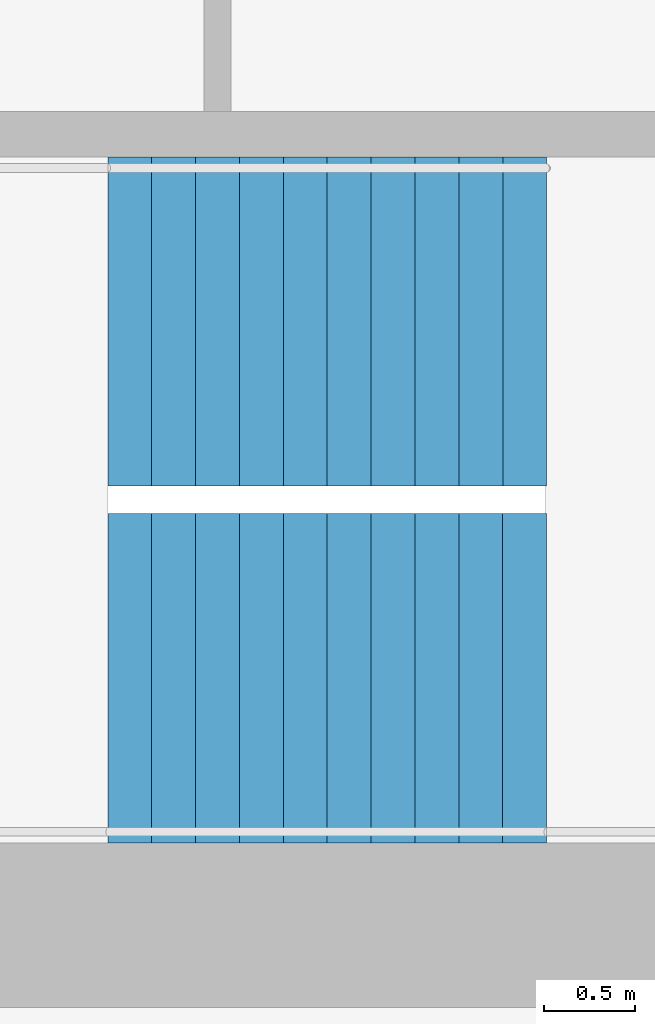
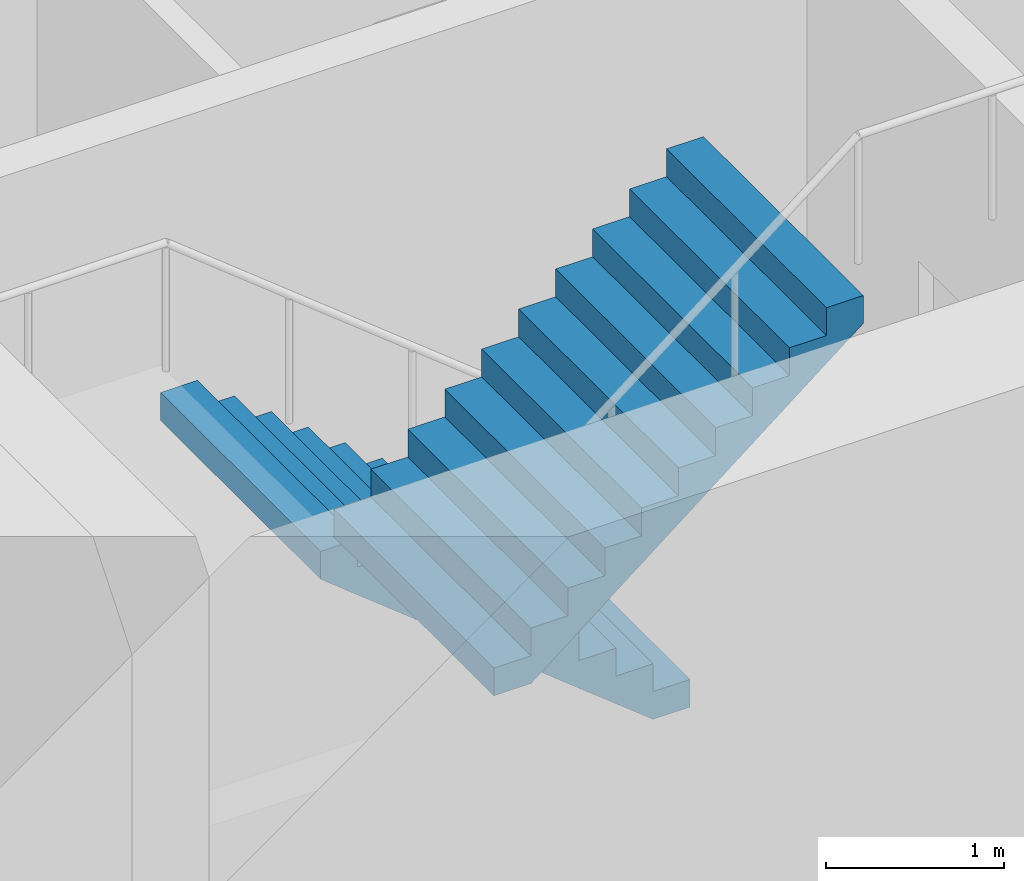
# One storey, part 37 of 41: 2 stair flights, 1 element without a shape of its own.
"""IFC4 building model written with IfcOpenShell, lengths in metres."""

from ifc_helpers import new_model, si_unit, direction, frame, origin, place, context, subcontext, project, spatial, triangles, material, type_object, element, aggregate, save


model = new_model("IFC4")

# Units and contexts
model_context = context("Model", 3, precision=1e-05, world=origin(), true_north=direction((0.0, 1.0)))
body_context = subcontext(model_context, "Body", "Model", "MODEL_VIEW")
ifc_project = project(units=[si_unit("LENGTHUNIT", "METRE"), si_unit("AREAUNIT", "SQUARE_METRE"), si_unit("VOLUMEUNIT", "CUBIC_METRE"), si_unit("PLANEANGLEUNIT", "RADIAN"), si_unit("MASSUNIT", "GRAM", prefix="KILO")], contexts=[model_context])

# Site, building, storey
site_placement = place(None, origin())
site = spatial("IfcSite", under=ifc_project, at=site_placement, CompositionType="ELEMENT")
building_placement = place(site_placement, origin())
building = spatial("IfcBuilding", under=site, at=building_placement, Name="Hakoniwa Tower and Hamabe Station Hall", CompositionType="ELEMENT")
storey_placement = place(building_placement, frame((0.0, 0.0, 276.60009765625)))
storey = spatial("IfcBuildingStorey", under=building, at=storey_placement, Name="L77", CompositionType="ELEMENT", Elevation=276.60009765625)

# Stair, stair flights
ifc_material_1 = material(Name="Concrete C40", Category="concrete")
stair_type = type_object("IfcStairType", Name="ESCAPE STAIR 1800", PredefinedType="HALF_TURN_STAIR", material=ifc_material_1)
stair_placement = place(storey_placement, origin())
stair = element("IfcStair", 1, at=stair_placement, inside=storey, type_object=stair_type, Name="Escape stair ST-2 L77", PredefinedType="HALF_TURN_STAIR")
ifc_material_2 = material(Name="Concrete C40", Category="concrete")
stair_flight_type = type_object("IfcStairFlightType", Name="STAIR FLIGHT 1800", PredefinedType="STRAIGHT", material=ifc_material_2)
stair_flight_1_placement = place(storey_placement, frame((-23.39990234375, -4.64990234375, 0.0), z_axis=(0.0, 0.0, 1.0), x_axis=(-1.0, 0.0, 0.0)))
stair_flight_1 = element("IfcStairFlight", 2, at=stair_flight_1_placement, type_object=stair_flight_type, Name="ST-2 flight 1", NumberOfRisers=11, NumberOfTreads=10, PredefinedType="STRAIGHT", RiserHeight=0.190909091, TreadLength=0.24, context=body_context, shape_type="Tessellation", body=[
    triangles([(0.0, 0.89990234375, 0.0), (0.239990234375, 0.89990234375, 0.0), (0.24072265625, 0.89990234375, 0.0), (0.47998046875, 0.89990234375, 0.190185546875), (0.719970703125, 0.89990234375, 0.381103515625), (0.9599609375, 0.89990234375, 0.572021484375), (1.199951171875, 0.89990234375, 0.762939453125), (1.43994140625, 0.89990234375, 0.953857421875), (1.679931640625, 0.89990234375, 1.144775390625), (1.919921875, 0.89990234375, 1.335693359375), (2.159912109375, 0.89990234375, 1.526611328125), (2.39990234375, 0.89990234375, 1.717529296875), (2.39990234375, 0.89990234375, 1.9091796875), (2.159912109375, 0.89990234375, 1.9091796875), (2.159912109375, 0.89990234375, 1.71826171875), (1.919921875, 0.89990234375, 1.71826171875), (1.919921875, 0.89990234375, 1.52734375), (1.679931640625, 0.89990234375, 1.52734375), (1.679931640625, 0.89990234375, 1.33642578125), (1.43994140625, 0.89990234375, 1.33642578125), (1.43994140625, 0.89990234375, 1.1455078125), (1.199951171875, 0.89990234375, 1.1455078125), (1.199951171875, 0.89990234375, 0.95458984375), (0.9599609375, 0.89990234375, 0.95458984375), (0.9599609375, 0.89990234375, 0.763671875), (0.719970703125, 0.89990234375, 0.763671875), (0.719970703125, 0.89990234375, 0.57275390625), (0.47998046875, 0.89990234375, 0.57275390625), (0.47998046875, 0.89990234375, 0.3818359375), (0.24072265625, 0.89990234375, 0.3818359375), (0.239990234375, 0.89990234375, 0.3818359375), (0.239990234375, 0.89990234375, 0.19091796875), (0.0, 0.89990234375, 0.19091796875), (0.0, 0.06005859375, 0.0), (0.239990234375, 0.06005859375, 0.0), (0.24072265625, 0.06005859375, 0.0), (0.47998046875, 0.06005859375, 0.190185546875), (0.719970703125, 0.06005859375, 0.381103515625), (0.9599609375, 0.06005859375, 0.572021484375), (1.199951171875, 0.06005859375, 0.762939453125), (1.43994140625, 0.06005859375, 0.953857421875), (1.679931640625, 0.06005859375, 1.144775390625), (1.919921875, 0.06005859375, 1.335693359375), (2.159912109375, 0.06005859375, 1.526611328125), (2.39990234375, 0.06005859375, 1.717529296875), (2.39990234375, 0.06005859375, 1.9091796875), (2.159912109375, 0.06005859375, 1.9091796875), (2.159912109375, 0.06005859375, 1.71826171875), (1.919921875, 0.06005859375, 1.71826171875), (1.919921875, 0.06005859375, 1.52734375), (1.679931640625, 0.06005859375, 1.52734375), (1.679931640625, 0.06005859375, 1.33642578125), (1.43994140625, 0.06005859375, 1.33642578125), (1.43994140625, 0.06005859375, 1.1455078125), (1.199951171875, 0.06005859375, 1.1455078125), (1.199951171875, 0.06005859375, 0.95458984375), (0.9599609375, 0.06005859375, 0.95458984375), (0.9599609375, 0.06005859375, 0.763671875), (0.719970703125, 0.06005859375, 0.763671875), (0.719970703125, 0.06005859375, 0.57275390625), (0.47998046875, 0.06005859375, 0.57275390625), (0.47998046875, 0.06005859375, 0.3818359375), (0.24072265625, 0.06005859375, 0.3818359375), (0.239990234375, 0.06005859375, 0.3818359375), (0.239990234375, 0.06005859375, 0.19091796875), (0.0, 0.06005859375, 0.19091796875), (0.0, 0.02001953125, 0.0), (0.239990234375, 0.02001953125, 0.0), (0.24072265625, 0.02001953125, 0.0), (0.47998046875, 0.02001953125, 0.190185546875), (0.719970703125, 0.02001953125, 0.381103515625), (0.9599609375, 0.02001953125, 0.572021484375), (1.199951171875, 0.02001953125, 0.762939453125), (1.43994140625, 0.02001953125, 0.953857421875), (1.679931640625, 0.02001953125, 1.144775390625), (1.919921875, 0.02001953125, 1.335693359375), (2.159912109375, 0.02001953125, 1.526611328125), (2.39990234375, 0.02001953125, 1.717529296875), (2.39990234375, 0.02001953125, 1.9091796875), (2.159912109375, 0.02001953125, 1.9091796875), (2.159912109375, 0.02001953125, 1.71826171875), (1.919921875, 0.02001953125, 1.71826171875), (1.919921875, 0.02001953125, 1.52734375), (1.679931640625, 0.02001953125, 1.52734375), (1.679931640625, 0.02001953125, 1.33642578125), (1.43994140625, 0.02001953125, 1.33642578125), (1.43994140625, 0.02001953125, 1.1455078125), (1.199951171875, 0.02001953125, 1.1455078125), (1.199951171875, 0.02001953125, 0.95458984375), (0.9599609375, 0.02001953125, 0.95458984375), (0.9599609375, 0.02001953125, 0.763671875), (0.719970703125, 0.02001953125, 0.763671875), (0.719970703125, 0.02001953125, 0.57275390625), (0.47998046875, 0.02001953125, 0.57275390625), (0.47998046875, 0.02001953125, 0.3818359375), (0.24072265625, 0.02001953125, 0.3818359375), (0.239990234375, 0.02001953125, 0.3818359375), (0.239990234375, 0.02001953125, 0.19091796875), (0.0, 0.02001953125, 0.19091796875), (0.0, -0.02001953125, 0.0), (0.239990234375, -0.02001953125, 0.0), (0.24072265625, -0.02001953125, 0.0), (0.47998046875, -0.02001953125, 0.190185546875), (0.719970703125, -0.02001953125, 0.381103515625), (0.9599609375, -0.02001953125, 0.572021484375), (1.199951171875, -0.02001953125, 0.762939453125), (1.43994140625, -0.02001953125, 0.953857421875), (1.679931640625, -0.02001953125, 1.144775390625), (1.919921875, -0.02001953125, 1.335693359375), (2.159912109375, -0.02001953125, 1.526611328125), (2.39990234375, -0.02001953125, 1.717529296875), (2.39990234375, -0.02001953125, 1.9091796875), (2.159912109375, -0.02001953125, 1.9091796875), (2.159912109375, -0.02001953125, 1.71826171875), (1.919921875, -0.02001953125, 1.71826171875), (1.919921875, -0.02001953125, 1.52734375), (1.679931640625, -0.02001953125, 1.52734375), (1.679931640625, -0.02001953125, 1.33642578125), (1.43994140625, -0.02001953125, 1.33642578125), (1.43994140625, -0.02001953125, 1.1455078125), (1.199951171875, -0.02001953125, 1.1455078125), (1.199951171875, -0.02001953125, 0.95458984375), (0.9599609375, -0.02001953125, 0.95458984375), (0.9599609375, -0.02001953125, 0.763671875), (0.719970703125, -0.02001953125, 0.763671875), (0.719970703125, -0.02001953125, 0.57275390625), (0.47998046875, -0.02001953125, 0.57275390625), (0.47998046875, -0.02001953125, 0.3818359375), (0.24072265625, -0.02001953125, 0.3818359375), (0.239990234375, -0.02001953125, 0.3818359375), (0.239990234375, -0.02001953125, 0.19091796875), (0.0, -0.02001953125, 0.19091796875), (0.0, -0.06005859375, 0.0), (0.239990234375, -0.06005859375, 0.0), (0.24072265625, -0.06005859375, 0.0), (0.47998046875, -0.06005859375, 0.190185546875), (0.719970703125, -0.06005859375, 0.381103515625), (0.9599609375, -0.06005859375, 0.572021484375), (1.199951171875, -0.06005859375, 0.762939453125), (1.43994140625, -0.06005859375, 0.953857421875), (1.679931640625, -0.06005859375, 1.144775390625), (1.919921875, -0.06005859375, 1.335693359375), (2.159912109375, -0.06005859375, 1.526611328125), (2.39990234375, -0.06005859375, 1.717529296875), (2.39990234375, -0.06005859375, 1.9091796875), (2.159912109375, -0.06005859375, 1.9091796875), (2.159912109375, -0.06005859375, 1.71826171875), (1.919921875, -0.06005859375, 1.71826171875), (1.919921875, -0.06005859375, 1.52734375), (1.679931640625, -0.06005859375, 1.52734375), (1.679931640625, -0.06005859375, 1.33642578125), (1.43994140625, -0.06005859375, 1.33642578125), (1.43994140625, -0.06005859375, 1.1455078125), (1.199951171875, -0.06005859375, 1.1455078125), (1.199951171875, -0.06005859375, 0.95458984375), (0.9599609375, -0.06005859375, 0.95458984375), (0.9599609375, -0.06005859375, 0.763671875), (0.719970703125, -0.06005859375, 0.763671875), (0.719970703125, -0.06005859375, 0.57275390625), (0.47998046875, -0.06005859375, 0.57275390625), (0.47998046875, -0.06005859375, 0.3818359375), (0.24072265625, -0.06005859375, 0.3818359375), (0.239990234375, -0.06005859375, 0.3818359375), (0.239990234375, -0.06005859375, 0.19091796875), (0.0, -0.06005859375, 0.19091796875), (0.0, -0.89990234375, 0.0), (0.239990234375, -0.89990234375, 0.0), (0.24072265625, -0.89990234375, 0.0), (0.47998046875, -0.89990234375, 0.190185546875), (0.719970703125, -0.89990234375, 0.381103515625), (0.9599609375, -0.89990234375, 0.572021484375), (1.199951171875, -0.89990234375, 0.762939453125), (1.43994140625, -0.89990234375, 0.953857421875), (1.679931640625, -0.89990234375, 1.144775390625), (1.919921875, -0.89990234375, 1.335693359375), (2.159912109375, -0.89990234375, 1.526611328125), (2.39990234375, -0.89990234375, 1.717529296875), (2.39990234375, -0.89990234375, 1.9091796875), (2.159912109375, -0.89990234375, 1.9091796875), (2.159912109375, -0.89990234375, 1.71826171875), (1.919921875, -0.89990234375, 1.71826171875), (1.919921875, -0.89990234375, 1.52734375), (1.679931640625, -0.89990234375, 1.52734375), (1.679931640625, -0.89990234375, 1.33642578125), (1.43994140625, -0.89990234375, 1.33642578125), (1.43994140625, -0.89990234375, 1.1455078125), (1.199951171875, -0.89990234375, 1.1455078125), (1.199951171875, -0.89990234375, 0.95458984375), (0.9599609375, -0.89990234375, 0.95458984375), (0.9599609375, -0.89990234375, 0.763671875), (0.719970703125, -0.89990234375, 0.763671875), (0.719970703125, -0.89990234375, 0.57275390625), (0.47998046875, -0.89990234375, 0.57275390625), (0.47998046875, -0.89990234375, 0.3818359375), (0.24072265625, -0.89990234375, 0.3818359375), (0.239990234375, -0.89990234375, 0.3818359375), (0.239990234375, -0.89990234375, 0.19091796875), (0.0, -0.89990234375, 0.19091796875)], [[2, 33, 32], [167, 197, 198], [2, 1, 33], [167, 198, 166], [3, 31, 30], [168, 195, 196], [3, 32, 31], [168, 196, 197], [3, 2, 32], [168, 197, 167], [4, 30, 29], [169, 194, 195], [4, 3, 30], [169, 195, 168], [5, 28, 27], [170, 192, 193], [5, 29, 28], [170, 193, 194], [5, 4, 29], [170, 194, 169], [6, 26, 25], [171, 190, 191], [6, 27, 26], [171, 191, 192], [6, 5, 27], [171, 192, 170], [7, 24, 23], [172, 188, 189], [7, 25, 24], [172, 189, 190], [7, 6, 25], [172, 190, 171], [8, 22, 21], [173, 186, 187], [8, 23, 22], [173, 187, 188], [8, 7, 23], [173, 188, 172], [9, 20, 19], [174, 184, 185], [9, 21, 20], [174, 185, 186], [9, 8, 21], [174, 186, 173], [10, 18, 17], [175, 182, 183], [10, 19, 18], [175, 183, 184], [10, 9, 19], [175, 184, 174], [11, 16, 15], [176, 180, 181], [11, 17, 16], [176, 181, 182], [11, 10, 17], [176, 182, 175], [12, 14, 13], [177, 178, 179], [12, 15, 14], [177, 179, 180], [12, 11, 15], [177, 180, 176], [1, 2, 35], [1, 35, 34], [34, 35, 68], [34, 68, 67], [67, 68, 101], [67, 101, 100], [100, 101, 134], [100, 134, 133], [133, 134, 167], [133, 167, 166], [2, 3, 36], [2, 36, 35], [35, 36, 69], [35, 69, 68], [68, 69, 102], [68, 102, 101], [101, 102, 135], [101, 135, 134], [134, 135, 168], [134, 168, 167], [3, 4, 37], [3, 37, 36], [36, 37, 70], [36, 70, 69], [69, 70, 103], [69, 103, 102], [102, 103, 136], [102, 136, 135], [135, 136, 169], [135, 169, 168], [4, 5, 38], [4, 38, 37], [37, 38, 71], [37, 71, 70], [70, 71, 104], [70, 104, 103], [103, 104, 137], [103, 137, 136], [136, 137, 170], [136, 170, 169], [5, 6, 39], [5, 39, 38], [38, 39, 72], [38, 72, 71], [71, 72, 105], [71, 105, 104], [104, 105, 138], [104, 138, 137], [137, 138, 171], [137, 171, 170], [6, 7, 40], [6, 40, 39], [39, 40, 73], [39, 73, 72], [72, 73, 106], [72, 106, 105], [105, 106, 139], [105, 139, 138], [138, 139, 172], [138, 172, 171], [7, 8, 41], [7, 41, 40], [40, 41, 74], [40, 74, 73], [73, 74, 107], [73, 107, 106], [106, 107, 140], [106, 140, 139], [139, 140, 173], [139, 173, 172], [8, 9, 42], [8, 42, 41], [41, 42, 75], [41, 75, 74], [74, 75, 108], [74, 108, 107], [107, 108, 141], [107, 141, 140], [140, 141, 174], [140, 174, 173], [9, 10, 43], [9, 43, 42], [42, 43, 76], [42, 76, 75], [75, 76, 109], [75, 109, 108], [108, 109, 142], [108, 142, 141], [141, 142, 175], [141, 175, 174], [10, 11, 44], [10, 44, 43], [43, 44, 77], [43, 77, 76], [76, 77, 110], [76, 110, 109], [109, 110, 143], [109, 143, 142], [142, 143, 176], [142, 176, 175], [11, 12, 45], [11, 45, 44], [44, 45, 78], [44, 78, 77], [77, 78, 111], [77, 111, 110], [110, 111, 144], [110, 144, 143], [143, 144, 177], [143, 177, 176], [12, 13, 46], [12, 46, 45], [45, 46, 79], [45, 79, 78], [78, 79, 112], [78, 112, 111], [111, 112, 145], [111, 145, 144], [144, 145, 178], [144, 178, 177], [13, 14, 47], [13, 47, 46], [46, 47, 80], [46, 80, 79], [79, 80, 113], [79, 113, 112], [112, 113, 146], [112, 146, 145], [145, 146, 179], [145, 179, 178], [14, 15, 48], [14, 48, 47], [47, 48, 81], [47, 81, 80], [80, 81, 114], [80, 114, 113], [113, 114, 147], [113, 147, 146], [146, 147, 180], [146, 180, 179], [15, 16, 49], [15, 49, 48], [48, 49, 82], [48, 82, 81], [81, 82, 115], [81, 115, 114], [114, 115, 148], [114, 148, 147], [147, 148, 181], [147, 181, 180], [16, 17, 50], [16, 50, 49], [49, 50, 83], [49, 83, 82], [82, 83, 116], [82, 116, 115], [115, 116, 149], [115, 149, 148], [148, 149, 182], [148, 182, 181], [17, 18, 51], [17, 51, 50], [50, 51, 84], [50, 84, 83], [83, 84, 117], [83, 117, 116], [116, 117, 150], [116, 150, 149], [149, 150, 183], [149, 183, 182], [18, 19, 52], [18, 52, 51], [51, 52, 85], [51, 85, 84], [84, 85, 118], [84, 118, 117], [117, 118, 151], [117, 151, 150], [150, 151, 184], [150, 184, 183], [19, 20, 53], [19, 53, 52], [52, 53, 86], [52, 86, 85], [85, 86, 119], [85, 119, 118], [118, 119, 152], [118, 152, 151], [151, 152, 185], [151, 185, 184], [20, 21, 54], [20, 54, 53], [53, 54, 87], [53, 87, 86], [86, 87, 120], [86, 120, 119], [119, 120, 153], [119, 153, 152], [152, 153, 186], [152, 186, 185], [21, 22, 55], [21, 55, 54], [54, 55, 88], [54, 88, 87], [87, 88, 121], [87, 121, 120], [120, 121, 154], [120, 154, 153], [153, 154, 187], [153, 187, 186], [22, 23, 56], [22, 56, 55], [55, 56, 89], [55, 89, 88], [88, 89, 122], [88, 122, 121], [121, 122, 155], [121, 155, 154], [154, 155, 188], [154, 188, 187], [23, 24, 57], [23, 57, 56], [56, 57, 90], [56, 90, 89], [89, 90, 123], [89, 123, 122], [122, 123, 156], [122, 156, 155], [155, 156, 189], [155, 189, 188], [24, 25, 58], [24, 58, 57], [57, 58, 91], [57, 91, 90], [90, 91, 124], [90, 124, 123], [123, 124, 157], [123, 157, 156], [156, 157, 190], [156, 190, 189], [25, 26, 59], [25, 59, 58], [58, 59, 92], [58, 92, 91], [91, 92, 125], [91, 125, 124], [124, 125, 158], [124, 158, 157], [157, 158, 191], [157, 191, 190], [26, 27, 60], [26, 60, 59], [59, 60, 93], [59, 93, 92], [92, 93, 126], [92, 126, 125], [125, 126, 159], [125, 159, 158], [158, 159, 192], [158, 192, 191], [27, 28, 61], [27, 61, 60], [60, 61, 94], [60, 94, 93], [93, 94, 127], [93, 127, 126], [126, 127, 160], [126, 160, 159], [159, 160, 193], [159, 193, 192], [28, 29, 62], [28, 62, 61], [61, 62, 95], [61, 95, 94], [94, 95, 128], [94, 128, 127], [127, 128, 161], [127, 161, 160], [160, 161, 194], [160, 194, 193], [29, 30, 63], [29, 63, 62], [62, 63, 96], [62, 96, 95], [95, 96, 129], [95, 129, 128], [128, 129, 162], [128, 162, 161], [161, 162, 195], [161, 195, 194], [30, 31, 64], [30, 64, 63], [63, 64, 97], [63, 97, 96], [96, 97, 130], [96, 130, 129], [129, 130, 163], [129, 163, 162], [162, 163, 196], [162, 196, 195], [31, 32, 65], [31, 65, 64], [64, 65, 98], [64, 98, 97], [97, 98, 131], [97, 131, 130], [130, 131, 164], [130, 164, 163], [163, 164, 197], [163, 197, 196], [32, 33, 66], [32, 66, 65], [65, 66, 99], [65, 99, 98], [98, 99, 132], [98, 132, 131], [131, 132, 165], [131, 165, 164], [164, 165, 198], [164, 198, 197], [33, 1, 34], [33, 34, 66], [66, 34, 67], [66, 67, 99], [99, 67, 100], [99, 100, 132], [132, 100, 133], [132, 133, 165], [165, 133, 166], [165, 166, 198]], closed=True),
])
stair_flight_2_placement = place(storey_placement, frame((-25.800048828125, -6.60009765625, 2.099853515625), z_axis=(0.0, 0.0, 1.0), x_axis=(1.0, 0.0, 0.0)))
stair_flight_2 = element("IfcStairFlight", 3, at=stair_flight_2_placement, type_object=stair_flight_type, Name="ST-2 flight 2", NumberOfRisers=11, NumberOfTreads=10, PredefinedType="STRAIGHT", RiserHeight=0.190909091, TreadLength=0.24, context=body_context, shape_type="Tessellation", body=[
    triangles([(0.0, 0.89990234375, 0.0), (0.239990234375, 0.89990234375, 0.0), (0.24072265625, 0.89990234375, 0.0), (0.47998046875, 0.89990234375, 0.190185546875), (0.719970703125, 0.89990234375, 0.381103515625), (0.9599609375, 0.89990234375, 0.572021484375), (1.199951171875, 0.89990234375, 0.762939453125), (1.43994140625, 0.89990234375, 0.953857421875), (1.679931640625, 0.89990234375, 1.144775390625), (1.919921875, 0.89990234375, 1.335693359375), (2.159912109375, 0.89990234375, 1.526611328125), (2.39990234375, 0.89990234375, 1.717529296875), (2.39990234375, 0.89990234375, 1.9091796875), (2.159912109375, 0.89990234375, 1.9091796875), (2.159912109375, 0.89990234375, 1.71826171875), (1.919921875, 0.89990234375, 1.71826171875), (1.919921875, 0.89990234375, 1.52734375), (1.679931640625, 0.89990234375, 1.52734375), (1.679931640625, 0.89990234375, 1.33642578125), (1.43994140625, 0.89990234375, 1.33642578125), (1.43994140625, 0.89990234375, 1.1455078125), (1.199951171875, 0.89990234375, 1.1455078125), (1.199951171875, 0.89990234375, 0.95458984375), (0.9599609375, 0.89990234375, 0.95458984375), (0.9599609375, 0.89990234375, 0.763671875), (0.719970703125, 0.89990234375, 0.763671875), (0.719970703125, 0.89990234375, 0.57275390625), (0.47998046875, 0.89990234375, 0.57275390625), (0.47998046875, 0.89990234375, 0.3818359375), (0.24072265625, 0.89990234375, 0.3818359375), (0.239990234375, 0.89990234375, 0.3818359375), (0.239990234375, 0.89990234375, 0.19091796875), (0.0, 0.89990234375, 0.19091796875), (0.0, 0.06005859375, 0.0), (0.239990234375, 0.06005859375, 0.0), (0.24072265625, 0.06005859375, 0.0), (0.47998046875, 0.06005859375, 0.190185546875), (0.719970703125, 0.06005859375, 0.381103515625), (0.9599609375, 0.06005859375, 0.572021484375), (1.199951171875, 0.06005859375, 0.762939453125), (1.43994140625, 0.06005859375, 0.953857421875), (1.679931640625, 0.06005859375, 1.144775390625), (1.919921875, 0.06005859375, 1.335693359375), (2.159912109375, 0.06005859375, 1.526611328125), (2.39990234375, 0.06005859375, 1.717529296875), (2.39990234375, 0.06005859375, 1.9091796875), (2.159912109375, 0.06005859375, 1.9091796875), (2.159912109375, 0.06005859375, 1.71826171875), (1.919921875, 0.06005859375, 1.71826171875), (1.919921875, 0.06005859375, 1.52734375), (1.679931640625, 0.06005859375, 1.52734375), (1.679931640625, 0.06005859375, 1.33642578125), (1.43994140625, 0.06005859375, 1.33642578125), (1.43994140625, 0.06005859375, 1.1455078125), (1.199951171875, 0.06005859375, 1.1455078125), (1.199951171875, 0.06005859375, 0.95458984375), (0.9599609375, 0.06005859375, 0.95458984375), (0.9599609375, 0.06005859375, 0.763671875), (0.719970703125, 0.06005859375, 0.763671875), (0.719970703125, 0.06005859375, 0.57275390625), (0.47998046875, 0.06005859375, 0.57275390625), (0.47998046875, 0.06005859375, 0.3818359375), (0.24072265625, 0.06005859375, 0.3818359375), (0.239990234375, 0.06005859375, 0.3818359375), (0.239990234375, 0.06005859375, 0.19091796875), (0.0, 0.06005859375, 0.19091796875), (0.0, 0.02001953125, 0.0), (0.239990234375, 0.02001953125, 0.0), (0.24072265625, 0.02001953125, 0.0), (0.47998046875, 0.02001953125, 0.190185546875), (0.719970703125, 0.02001953125, 0.381103515625), (0.9599609375, 0.02001953125, 0.572021484375), (1.199951171875, 0.02001953125, 0.762939453125), (1.43994140625, 0.02001953125, 0.953857421875), (1.679931640625, 0.02001953125, 1.144775390625), (1.919921875, 0.02001953125, 1.335693359375), (2.159912109375, 0.02001953125, 1.526611328125), (2.39990234375, 0.02001953125, 1.717529296875), (2.39990234375, 0.02001953125, 1.9091796875), (2.159912109375, 0.02001953125, 1.9091796875), (2.159912109375, 0.02001953125, 1.71826171875), (1.919921875, 0.02001953125, 1.71826171875), (1.919921875, 0.02001953125, 1.52734375), (1.679931640625, 0.02001953125, 1.52734375), (1.679931640625, 0.02001953125, 1.33642578125), (1.43994140625, 0.02001953125, 1.33642578125), (1.43994140625, 0.02001953125, 1.1455078125), (1.199951171875, 0.02001953125, 1.1455078125), (1.199951171875, 0.02001953125, 0.95458984375), (0.9599609375, 0.02001953125, 0.95458984375), (0.9599609375, 0.02001953125, 0.763671875), (0.719970703125, 0.02001953125, 0.763671875), (0.719970703125, 0.02001953125, 0.57275390625), (0.47998046875, 0.02001953125, 0.57275390625), (0.47998046875, 0.02001953125, 0.3818359375), (0.24072265625, 0.02001953125, 0.3818359375), (0.239990234375, 0.02001953125, 0.3818359375), (0.239990234375, 0.02001953125, 0.19091796875), (0.0, 0.02001953125, 0.19091796875), (0.0, -0.02001953125, 0.0), (0.239990234375, -0.02001953125, 0.0), (0.24072265625, -0.02001953125, 0.0), (0.47998046875, -0.02001953125, 0.190185546875), (0.719970703125, -0.02001953125, 0.381103515625), (0.9599609375, -0.02001953125, 0.572021484375), (1.199951171875, -0.02001953125, 0.762939453125), (1.43994140625, -0.02001953125, 0.953857421875), (1.679931640625, -0.02001953125, 1.144775390625), (1.919921875, -0.02001953125, 1.335693359375), (2.159912109375, -0.02001953125, 1.526611328125), (2.39990234375, -0.02001953125, 1.717529296875), (2.39990234375, -0.02001953125, 1.9091796875), (2.159912109375, -0.02001953125, 1.9091796875), (2.159912109375, -0.02001953125, 1.71826171875), (1.919921875, -0.02001953125, 1.71826171875), (1.919921875, -0.02001953125, 1.52734375), (1.679931640625, -0.02001953125, 1.52734375), (1.679931640625, -0.02001953125, 1.33642578125), (1.43994140625, -0.02001953125, 1.33642578125), (1.43994140625, -0.02001953125, 1.1455078125), (1.199951171875, -0.02001953125, 1.1455078125), (1.199951171875, -0.02001953125, 0.95458984375), (0.9599609375, -0.02001953125, 0.95458984375), (0.9599609375, -0.02001953125, 0.763671875), (0.719970703125, -0.02001953125, 0.763671875), (0.719970703125, -0.02001953125, 0.57275390625), (0.47998046875, -0.02001953125, 0.57275390625), (0.47998046875, -0.02001953125, 0.3818359375), (0.24072265625, -0.02001953125, 0.3818359375), (0.239990234375, -0.02001953125, 0.3818359375), (0.239990234375, -0.02001953125, 0.19091796875), (0.0, -0.02001953125, 0.19091796875), (0.0, -0.06005859375, 0.0), (0.239990234375, -0.06005859375, 0.0), (0.24072265625, -0.06005859375, 0.0), (0.47998046875, -0.06005859375, 0.190185546875), (0.719970703125, -0.06005859375, 0.381103515625), (0.9599609375, -0.06005859375, 0.572021484375), (1.199951171875, -0.06005859375, 0.762939453125), (1.43994140625, -0.06005859375, 0.953857421875), (1.679931640625, -0.06005859375, 1.144775390625), (1.919921875, -0.06005859375, 1.335693359375), (2.159912109375, -0.06005859375, 1.526611328125), (2.39990234375, -0.06005859375, 1.717529296875), (2.39990234375, -0.06005859375, 1.9091796875), (2.159912109375, -0.06005859375, 1.9091796875), (2.159912109375, -0.06005859375, 1.71826171875), (1.919921875, -0.06005859375, 1.71826171875), (1.919921875, -0.06005859375, 1.52734375), (1.679931640625, -0.06005859375, 1.52734375), (1.679931640625, -0.06005859375, 1.33642578125), (1.43994140625, -0.06005859375, 1.33642578125), (1.43994140625, -0.06005859375, 1.1455078125), (1.199951171875, -0.06005859375, 1.1455078125), (1.199951171875, -0.06005859375, 0.95458984375), (0.9599609375, -0.06005859375, 0.95458984375), (0.9599609375, -0.06005859375, 0.763671875), (0.719970703125, -0.06005859375, 0.763671875), (0.719970703125, -0.06005859375, 0.57275390625), (0.47998046875, -0.06005859375, 0.57275390625), (0.47998046875, -0.06005859375, 0.3818359375), (0.24072265625, -0.06005859375, 0.3818359375), (0.239990234375, -0.06005859375, 0.3818359375), (0.239990234375, -0.06005859375, 0.19091796875), (0.0, -0.06005859375, 0.19091796875), (0.0, -0.89990234375, 0.0), (0.239990234375, -0.89990234375, 0.0), (0.24072265625, -0.89990234375, 0.0), (0.47998046875, -0.89990234375, 0.190185546875), (0.719970703125, -0.89990234375, 0.381103515625), (0.9599609375, -0.89990234375, 0.572021484375), (1.199951171875, -0.89990234375, 0.762939453125), (1.43994140625, -0.89990234375, 0.953857421875), (1.679931640625, -0.89990234375, 1.144775390625), (1.919921875, -0.89990234375, 1.335693359375), (2.159912109375, -0.89990234375, 1.526611328125), (2.39990234375, -0.89990234375, 1.717529296875), (2.39990234375, -0.89990234375, 1.9091796875), (2.159912109375, -0.89990234375, 1.9091796875), (2.159912109375, -0.89990234375, 1.71826171875), (1.919921875, -0.89990234375, 1.71826171875), (1.919921875, -0.89990234375, 1.52734375), (1.679931640625, -0.89990234375, 1.52734375), (1.679931640625, -0.89990234375, 1.33642578125), (1.43994140625, -0.89990234375, 1.33642578125), (1.43994140625, -0.89990234375, 1.1455078125), (1.199951171875, -0.89990234375, 1.1455078125), (1.199951171875, -0.89990234375, 0.95458984375), (0.9599609375, -0.89990234375, 0.95458984375), (0.9599609375, -0.89990234375, 0.763671875), (0.719970703125, -0.89990234375, 0.763671875), (0.719970703125, -0.89990234375, 0.57275390625), (0.47998046875, -0.89990234375, 0.57275390625), (0.47998046875, -0.89990234375, 0.3818359375), (0.24072265625, -0.89990234375, 0.3818359375), (0.239990234375, -0.89990234375, 0.3818359375), (0.239990234375, -0.89990234375, 0.19091796875), (0.0, -0.89990234375, 0.19091796875)], [[2, 33, 32], [167, 197, 198], [2, 1, 33], [167, 198, 166], [3, 31, 30], [168, 195, 196], [3, 32, 31], [168, 196, 197], [3, 2, 32], [168, 197, 167], [4, 30, 29], [169, 194, 195], [4, 3, 30], [169, 195, 168], [5, 28, 27], [170, 192, 193], [5, 29, 28], [170, 193, 194], [5, 4, 29], [170, 194, 169], [6, 26, 25], [171, 190, 191], [6, 27, 26], [171, 191, 192], [6, 5, 27], [171, 192, 170], [7, 24, 23], [172, 188, 189], [7, 25, 24], [172, 189, 190], [7, 6, 25], [172, 190, 171], [8, 22, 21], [173, 186, 187], [8, 23, 22], [173, 187, 188], [8, 7, 23], [173, 188, 172], [9, 20, 19], [174, 184, 185], [9, 21, 20], [174, 185, 186], [9, 8, 21], [174, 186, 173], [10, 18, 17], [175, 182, 183], [10, 19, 18], [175, 183, 184], [10, 9, 19], [175, 184, 174], [11, 16, 15], [176, 180, 181], [11, 17, 16], [176, 181, 182], [11, 10, 17], [176, 182, 175], [12, 14, 13], [177, 178, 179], [12, 15, 14], [177, 179, 180], [12, 11, 15], [177, 180, 176], [1, 2, 35], [1, 35, 34], [34, 35, 68], [34, 68, 67], [67, 68, 101], [67, 101, 100], [100, 101, 134], [100, 134, 133], [133, 134, 167], [133, 167, 166], [2, 3, 36], [2, 36, 35], [35, 36, 69], [35, 69, 68], [68, 69, 102], [68, 102, 101], [101, 102, 135], [101, 135, 134], [134, 135, 168], [134, 168, 167], [3, 4, 37], [3, 37, 36], [36, 37, 70], [36, 70, 69], [69, 70, 103], [69, 103, 102], [102, 103, 136], [102, 136, 135], [135, 136, 169], [135, 169, 168], [4, 5, 38], [4, 38, 37], [37, 38, 71], [37, 71, 70], [70, 71, 104], [70, 104, 103], [103, 104, 137], [103, 137, 136], [136, 137, 170], [136, 170, 169], [5, 6, 39], [5, 39, 38], [38, 39, 72], [38, 72, 71], [71, 72, 105], [71, 105, 104], [104, 105, 138], [104, 138, 137], [137, 138, 171], [137, 171, 170], [6, 7, 40], [6, 40, 39], [39, 40, 73], [39, 73, 72], [72, 73, 106], [72, 106, 105], [105, 106, 139], [105, 139, 138], [138, 139, 172], [138, 172, 171], [7, 8, 41], [7, 41, 40], [40, 41, 74], [40, 74, 73], [73, 74, 107], [73, 107, 106], [106, 107, 140], [106, 140, 139], [139, 140, 173], [139, 173, 172], [8, 9, 42], [8, 42, 41], [41, 42, 75], [41, 75, 74], [74, 75, 108], [74, 108, 107], [107, 108, 141], [107, 141, 140], [140, 141, 174], [140, 174, 173], [9, 10, 43], [9, 43, 42], [42, 43, 76], [42, 76, 75], [75, 76, 109], [75, 109, 108], [108, 109, 142], [108, 142, 141], [141, 142, 175], [141, 175, 174], [10, 11, 44], [10, 44, 43], [43, 44, 77], [43, 77, 76], [76, 77, 110], [76, 110, 109], [109, 110, 143], [109, 143, 142], [142, 143, 176], [142, 176, 175], [11, 12, 45], [11, 45, 44], [44, 45, 78], [44, 78, 77], [77, 78, 111], [77, 111, 110], [110, 111, 144], [110, 144, 143], [143, 144, 177], [143, 177, 176], [12, 13, 46], [12, 46, 45], [45, 46, 79], [45, 79, 78], [78, 79, 112], [78, 112, 111], [111, 112, 145], [111, 145, 144], [144, 145, 178], [144, 178, 177], [13, 14, 47], [13, 47, 46], [46, 47, 80], [46, 80, 79], [79, 80, 113], [79, 113, 112], [112, 113, 146], [112, 146, 145], [145, 146, 179], [145, 179, 178], [14, 15, 48], [14, 48, 47], [47, 48, 81], [47, 81, 80], [80, 81, 114], [80, 114, 113], [113, 114, 147], [113, 147, 146], [146, 147, 180], [146, 180, 179], [15, 16, 49], [15, 49, 48], [48, 49, 82], [48, 82, 81], [81, 82, 115], [81, 115, 114], [114, 115, 148], [114, 148, 147], [147, 148, 181], [147, 181, 180], [16, 17, 50], [16, 50, 49], [49, 50, 83], [49, 83, 82], [82, 83, 116], [82, 116, 115], [115, 116, 149], [115, 149, 148], [148, 149, 182], [148, 182, 181], [17, 18, 51], [17, 51, 50], [50, 51, 84], [50, 84, 83], [83, 84, 117], [83, 117, 116], [116, 117, 150], [116, 150, 149], [149, 150, 183], [149, 183, 182], [18, 19, 52], [18, 52, 51], [51, 52, 85], [51, 85, 84], [84, 85, 118], [84, 118, 117], [117, 118, 151], [117, 151, 150], [150, 151, 184], [150, 184, 183], [19, 20, 53], [19, 53, 52], [52, 53, 86], [52, 86, 85], [85, 86, 119], [85, 119, 118], [118, 119, 152], [118, 152, 151], [151, 152, 185], [151, 185, 184], [20, 21, 54], [20, 54, 53], [53, 54, 87], [53, 87, 86], [86, 87, 120], [86, 120, 119], [119, 120, 153], [119, 153, 152], [152, 153, 186], [152, 186, 185], [21, 22, 55], [21, 55, 54], [54, 55, 88], [54, 88, 87], [87, 88, 121], [87, 121, 120], [120, 121, 154], [120, 154, 153], [153, 154, 187], [153, 187, 186], [22, 23, 56], [22, 56, 55], [55, 56, 89], [55, 89, 88], [88, 89, 122], [88, 122, 121], [121, 122, 155], [121, 155, 154], [154, 155, 188], [154, 188, 187], [23, 24, 57], [23, 57, 56], [56, 57, 90], [56, 90, 89], [89, 90, 123], [89, 123, 122], [122, 123, 156], [122, 156, 155], [155, 156, 189], [155, 189, 188], [24, 25, 58], [24, 58, 57], [57, 58, 91], [57, 91, 90], [90, 91, 124], [90, 124, 123], [123, 124, 157], [123, 157, 156], [156, 157, 190], [156, 190, 189], [25, 26, 59], [25, 59, 58], [58, 59, 92], [58, 92, 91], [91, 92, 125], [91, 125, 124], [124, 125, 158], [124, 158, 157], [157, 158, 191], [157, 191, 190], [26, 27, 60], [26, 60, 59], [59, 60, 93], [59, 93, 92], [92, 93, 126], [92, 126, 125], [125, 126, 159], [125, 159, 158], [158, 159, 192], [158, 192, 191], [27, 28, 61], [27, 61, 60], [60, 61, 94], [60, 94, 93], [93, 94, 127], [93, 127, 126], [126, 127, 160], [126, 160, 159], [159, 160, 193], [159, 193, 192], [28, 29, 62], [28, 62, 61], [61, 62, 95], [61, 95, 94], [94, 95, 128], [94, 128, 127], [127, 128, 161], [127, 161, 160], [160, 161, 194], [160, 194, 193], [29, 30, 63], [29, 63, 62], [62, 63, 96], [62, 96, 95], [95, 96, 129], [95, 129, 128], [128, 129, 162], [128, 162, 161], [161, 162, 195], [161, 195, 194], [30, 31, 64], [30, 64, 63], [63, 64, 97], [63, 97, 96], [96, 97, 130], [96, 130, 129], [129, 130, 163], [129, 163, 162], [162, 163, 196], [162, 196, 195], [31, 32, 65], [31, 65, 64], [64, 65, 98], [64, 98, 97], [97, 98, 131], [97, 131, 130], [130, 131, 164], [130, 164, 163], [163, 164, 197], [163, 197, 196], [32, 33, 66], [32, 66, 65], [65, 66, 99], [65, 99, 98], [98, 99, 132], [98, 132, 131], [131, 132, 165], [131, 165, 164], [164, 165, 198], [164, 198, 197], [33, 1, 34], [33, 34, 66], [66, 34, 67], [66, 67, 99], [99, 67, 100], [99, 100, 132], [132, 100, 133], [132, 133, 165], [165, 133, 166], [165, 166, 198]], closed=True),
])
aggregate(stair, [stair_flight_1, stair_flight_2])

save(model, "model.ifc")
